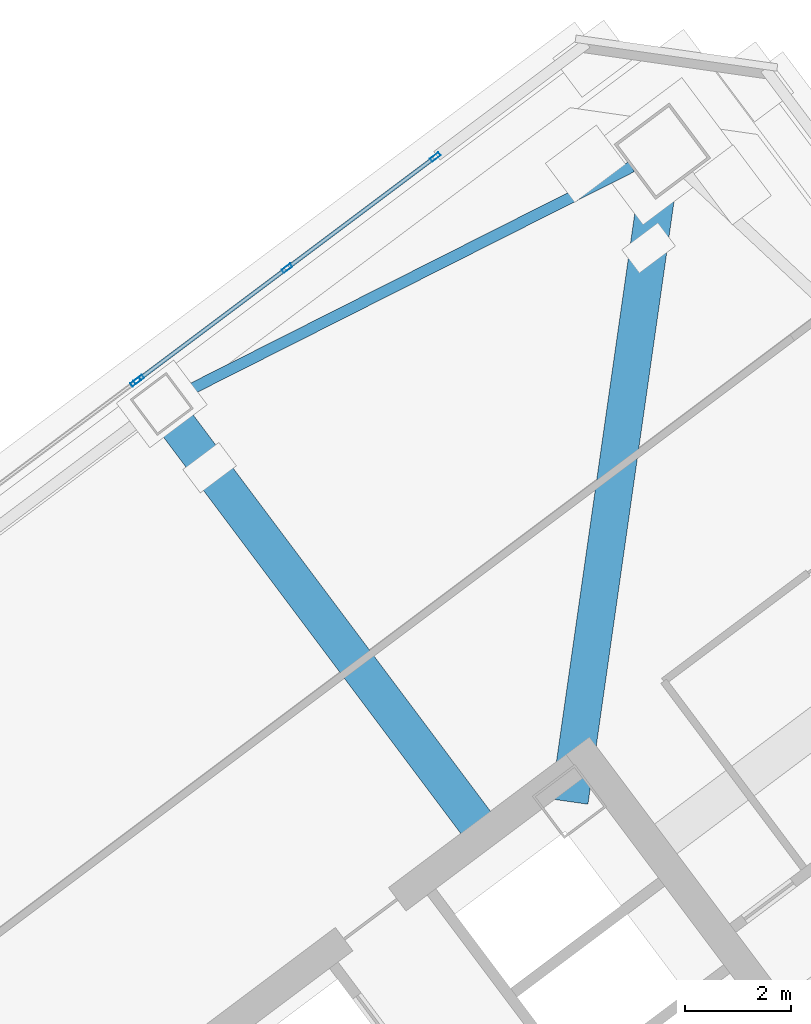
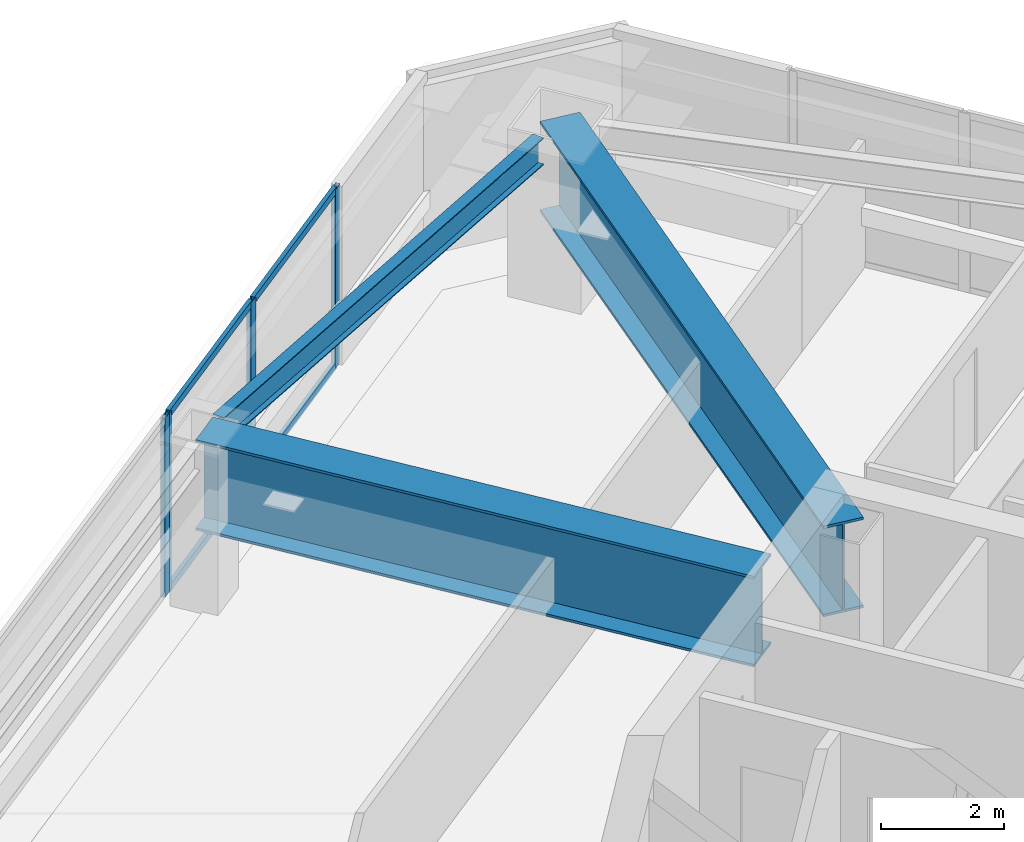
# One storey, part 27 of 42: 8 members, 3 beams, 2 elements without a shape of their own.
"""IFC4 building model written with IfcOpenShell, lengths in metres."""

from ifc_helpers import new_model, si_unit, direction, frame, origin, origin_2d, place, context, subcontext, project, spatial, hollow_rectangle, i_section, extrude, material, material_profile, profile_set, type_object, element, aggregate, save


model = new_model("IFC4")

# Units and contexts
model_context = context("Model", 3, precision=1e-05, world=origin(), true_north=direction((0.0, 1.0)))
body_context = subcontext(model_context, "Body", "Model", "MODEL_VIEW")
ifc_project = project(units=[si_unit("LENGTHUNIT", "METRE"), si_unit("AREAUNIT", "SQUARE_METRE"), si_unit("VOLUMEUNIT", "CUBIC_METRE"), si_unit("PLANEANGLEUNIT", "RADIAN"), si_unit("MASSUNIT", "GRAM", prefix="KILO")], contexts=[model_context])

# Site, building, storey
site_placement = place(None, origin())
site = spatial("IfcSite", under=ifc_project, at=site_placement, CompositionType="ELEMENT")
building_placement = place(site_placement, origin())
building = spatial("IfcBuilding", under=site, at=building_placement, Name="Tashvorn Skyway Center", CompositionType="ELEMENT")
storey_placement = place(building_placement, frame((0.0, 0.0, 153.449951171875)))
storey = spatial("IfcBuildingStorey", under=building, at=storey_placement, Name="L41", CompositionType="ELEMENT", Elevation=153.449951171875)

# Beams
ifc_material_1 = material(Name="Steel ASTM A572 Grade 50", Category="steel")
ifc_material_profile_1 = material_profile(ifc_material_1, i_section(OverallWidth=0.699951171875, OverallDepth=1.800048828125, WebThickness=0.031982421875, FlangeThickness=0.050048828125, at=origin_2d()), Name="PG1800x700")
ifc_profile_set_1 = profile_set([ifc_material_profile_1], Name="Steel ASTM A572 Grade 50")
beam_type_1 = type_object("IfcBeamType", Name="BM-BEAM-PG1800x700", PredefinedType="BEAM", material=ifc_profile_set_1)
beam_1_placement = place(storey_placement, frame((117.159912109375, 54.1201171875, 2.469970703125), z_axis=(-0.141421356237, -0.989949493661, 0.0), x_axis=(0.989949493661, -0.141421356237, 0.0)))
element("IfcBeam", 1, at=beam_1_placement, inside=storey, type_object=beam_type_1, Name="Tower 2 L41 Setback Transfer Girder MC-NE", PredefinedType="BEAM", context=body_context, shape_type="SweptSolid", body=[
    extrude(i_section(OverallWidth=0.699951171875, OverallDepth=1.800048828125, WebThickness=0.031982421875, FlangeThickness=0.050048828125, at=origin_2d()), origin(), (0.0, 0.0, 1.0), 12.374267578125),
])
beam_2_placement = place(storey_placement, frame((107.72998046875, 49.360107421875, 2.469970703125), z_axis=(0.600007915316, -0.799994063452, 0.0), x_axis=(0.799994063452, 0.600007915316, 0.0)))
element("IfcBeam", 2, at=beam_2_placement, inside=storey, type_object=beam_type_1, Name="Tower 2 L41 Setback Transfer Girder FC-N1", PredefinedType="BEAM", context=body_context, shape_type="SweptSolid", body=[
    extrude(i_section(OverallWidth=0.699951171875, OverallDepth=1.800048828125, WebThickness=0.031982421875, FlangeThickness=0.050048828125, at=origin_2d()), origin(), (0.0, 0.0, 1.0), 9.8701171875),
])
ifc_material_2 = material(Name="Steel ASTM A992 Grade 50", Category="steel")
ifc_material_profile_2 = material_profile(ifc_material_2, i_section(OverallWidth=0.2109375, OverallDepth=0.5390625, WebThickness=0.01171875, FlangeThickness=0.018798828125, at=origin_2d()), Name="W21X73")
ifc_profile_set_2 = profile_set([ifc_material_profile_2], Name="Steel ASTM A992 Grade 50")
beam_type_2 = type_object("IfcBeamType", Name="BM-SPANDREL-W21X73", PredefinedType="SPANDREL", material=ifc_profile_set_2)
beam_3_placement = place(storey_placement, frame((116.584228515625, 53.829345703125, 3.1005859375), z_axis=(-0.892719124217, -0.450613543136, 0.0), x_axis=(0.450613543136, -0.892719124217, 0.0)))
element("IfcBeam", 3, at=beam_3_placement, inside=storey, type_object=beam_type_2, Name="Tower 2 L41 Spandrel Beam 07", PredefinedType="SPANDREL", context=body_context, shape_type="SweptSolid", body=[
    extrude(i_section(OverallWidth=0.2109375, OverallDepth=0.5390625, WebThickness=0.01171875, FlangeThickness=0.018798828125, at=origin_2d()), origin(), (0.0, 0.0, 1.0), 9.498291015625),
])

# Curtain wall, member
ifc_material_3 = material(Name="Thermally broken bronze-anodized aluminium 6063-T6", Category="aluminium")
curtain_wall_type = type_object("IfcCurtainWallType", Name="CW-CW-Z3", PredefinedType="NOTDEFINED", material=ifc_material_3)
curtain_wall_1_placement = place(storey_placement, origin())
curtain_wall_1 = element("IfcCurtainWall", 4, at=curtain_wall_1_placement, inside=storey, type_object=curtain_wall_type, Name="Tower 2 L41 North Unitised Curtain Wall Glazing Group 2", PredefinedType="NOTDEFINED")
ifc_material_profile_3 = material_profile(ifc_material_3, hollow_rectangle(XDim=0.074951171875, YDim=0.199951171875, WallThickness=0.00439453125, at=origin_2d()), Name="ALU-MULL-75x200")
ifc_profile_set_3 = profile_set([ifc_material_profile_3], Name="Thermally broken bronze-anodized aluminium 6063-T6")
member_type_1 = type_object("IfcMemberType", Name="CWM-CW-Z3", PredefinedType="MULLION", material=ifc_profile_set_3)
member_1_placement = place(storey_placement, frame((107.23681640625, 49.777587890625, 0.0), z_axis=(0.0, 0.0, 1.0), x_axis=(-0.599996977339, 0.800002266987, 0.0)))
member_1 = element("IfcMember", 5, at=member_1_placement, type_object=member_type_1, Name="CW-Z3 mullion 2", PredefinedType="MULLION", context=body_context, shape_type="SweptSolid", body=[
    extrude(hollow_rectangle(XDim=0.074951171875, YDim=0.199951171875, WallThickness=0.00439453125, at=origin_2d()), origin(), (0.0, 0.0, 1.0), 3.550048828125),
])
aggregate(curtain_wall_1, [member_1])

# Curtain wall, members
curtain_wall_2_placement = place(storey_placement, origin())
curtain_wall_2 = element("IfcCurtainWall", 6, at=curtain_wall_2_placement, inside=storey, type_object=curtain_wall_type, Name="Tower 2 L41 North Unitised Curtain Wall Glazing Group 3", PredefinedType="NOTDEFINED")
member_2_placement = place(storey_placement, frame((107.296630859375, 49.822509765625, 0.0), z_axis=(0.0, 0.0, 1.0), x_axis=(-0.600004533995, 0.799996599484, 0.0)))
member_2 = element("IfcMember", 7, at=member_2_placement, type_object=member_type_1, Name="CW-Z3 mullion 1", PredefinedType="MULLION", context=body_context, shape_type="SweptSolid", body=[
    extrude(hollow_rectangle(XDim=0.074951171875, YDim=0.199951171875, WallThickness=0.00439453125, at=origin_2d()), origin(), (0.0, 0.0, 1.0), 3.550048828125),
])
member_3_placement = place(storey_placement, frame((110.08984375, 51.917236328125, 0.0), z_axis=(0.0, 0.0, 1.0), x_axis=(-0.600004533995, 0.799996599484, 0.0)))
member_3 = element("IfcMember", 8, at=member_3_placement, type_object=member_type_1, Name="CW-Z3 mullion 2", PredefinedType="MULLION", context=body_context, shape_type="SweptSolid", body=[
    extrude(hollow_rectangle(XDim=0.074951171875, YDim=0.199951171875, WallThickness=0.00439453125, at=origin_2d()), origin(), (0.0, 0.0, 1.0), 3.550048828125),
])
member_4_placement = place(storey_placement, frame((112.8828125, 54.01220703125, 0.0), z_axis=(0.0, 0.0, 1.0), x_axis=(-0.600004533995, 0.799996599484, 0.0)))
member_4 = element("IfcMember", 9, at=member_4_placement, type_object=member_type_1, Name="CW-Z3 mullion 3", PredefinedType="MULLION", context=body_context, shape_type="SweptSolid", body=[
    extrude(hollow_rectangle(XDim=0.074951171875, YDim=0.199951171875, WallThickness=0.00439453125, at=origin_2d()), origin(), (0.0, 0.0, 1.0), 3.550048828125),
])
ifc_material_profile_4 = material_profile(ifc_material_3, hollow_rectangle(XDim=0.074951171875, YDim=0.139892578125, WallThickness=0.004150390625, at=origin_2d()), Name="ALU-TRAN-75x140")
ifc_profile_set_4 = profile_set([ifc_material_profile_4], Name="Thermally broken bronze-anodized aluminium 6063-T6")
member_type_2 = type_object("IfcMemberType", Name="CWT-CW-Z3", PredefinedType="USERDEFINED", material=ifc_profile_set_4)
member_5_placement = place(storey_placement, frame((107.32666015625, 49.844970703125, 0.03759765625), z_axis=(0.800008575267, 0.59998856614, 0.0), x_axis=(-0.59998856614, 0.800008575267, 0.0)))
member_5 = element("IfcMember", 10, at=member_5_placement, type_object=member_type_2, Name="CW-Z3 transom 1.1", ObjectType="TRANSOM", PredefinedType="USERDEFINED", context=body_context, shape_type="SweptSolid", body=[
    extrude(hollow_rectangle(XDim=0.074951171875, YDim=0.139892578125, WallThickness=0.004150390625, at=origin_2d()), origin(), (0.0, 0.0, 1.0), 3.41650390625),
])
member_6_placement = place(storey_placement, frame((107.32666015625, 49.844970703125, 3.512451171875), z_axis=(0.800008575267, 0.59998856614, 0.0), x_axis=(-0.59998856614, 0.800008575267, 0.0)))
member_6 = element("IfcMember", 11, at=member_6_placement, type_object=member_type_2, Name="CW-Z3 transom 1.2", ObjectType="TRANSOM", PredefinedType="USERDEFINED", context=body_context, shape_type="SweptSolid", body=[
    extrude(hollow_rectangle(XDim=0.074951171875, YDim=0.139892578125, WallThickness=0.004150390625, at=origin_2d()), origin(), (0.0, 0.0, 1.0), 3.41650390625),
])
member_7_placement = place(storey_placement, frame((110.119873046875, 51.93994140625, 0.03759765625), z_axis=(0.799982847995, 0.600022868659, 0.0), x_axis=(-0.600022868659, 0.799982847995, 0.0)))
member_7 = element("IfcMember", 12, at=member_7_placement, type_object=member_type_2, Name="CW-Z3 transom 2.1", ObjectType="TRANSOM", PredefinedType="USERDEFINED", context=body_context, shape_type="SweptSolid", body=[
    extrude(hollow_rectangle(XDim=0.074951171875, YDim=0.139892578125, WallThickness=0.004150390625, at=origin_2d()), origin(), (0.0, 0.0, 1.0), 3.416259765625),
])
member_8_placement = place(storey_placement, frame((110.119873046875, 51.93994140625, 3.512451171875), z_axis=(0.799982847995, 0.600022868659, 0.0), x_axis=(-0.600022868659, 0.799982847995, 0.0)))
member_8 = element("IfcMember", 13, at=member_8_placement, type_object=member_type_2, Name="CW-Z3 transom 2.2", ObjectType="TRANSOM", PredefinedType="USERDEFINED", context=body_context, shape_type="SweptSolid", body=[
    extrude(hollow_rectangle(XDim=0.074951171875, YDim=0.139892578125, WallThickness=0.004150390625, at=origin_2d()), origin(), (0.0, 0.0, 1.0), 3.416259765625),
])
aggregate(curtain_wall_2, [member_2, member_3, member_4, member_5, member_6, member_7, member_8])

save(model, "model.ifc")
